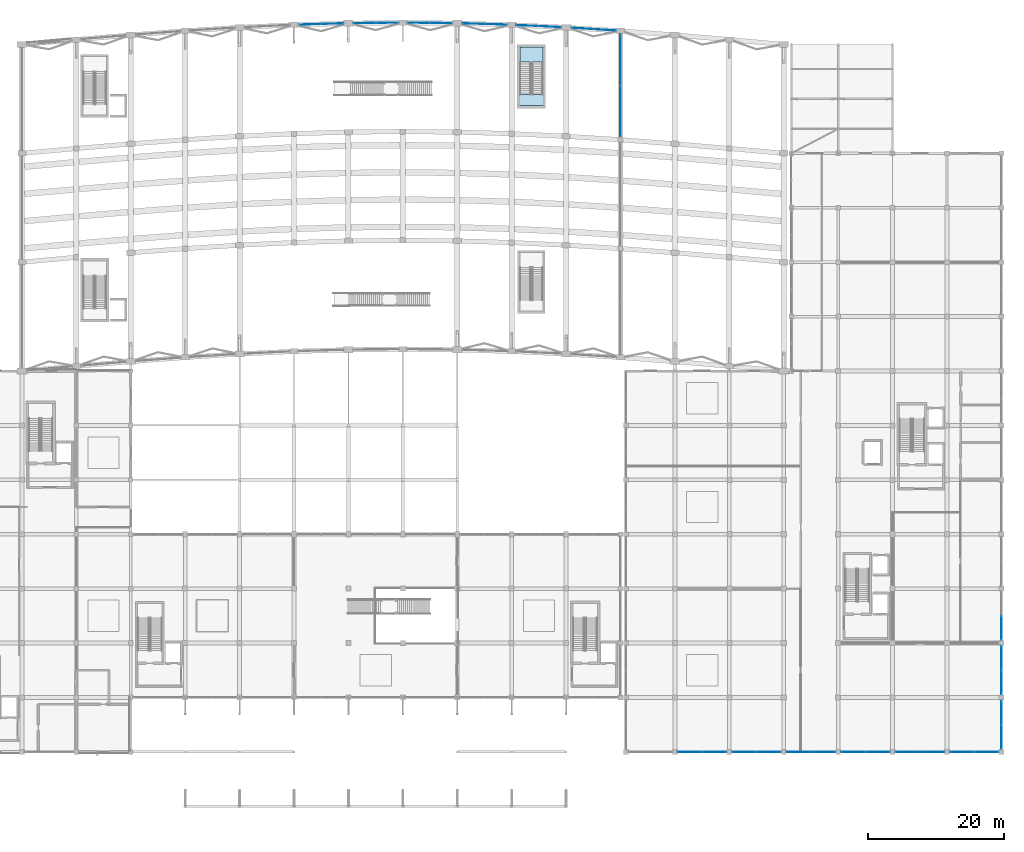
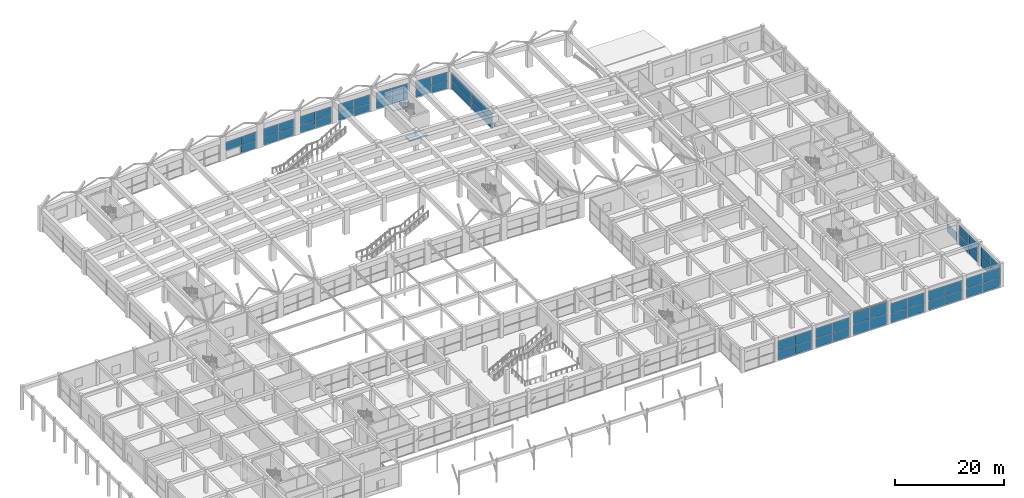
# One storey, part 45 of 69: 60 plates, 2 slabs, 17 elements without a shape of their own.
"""IFC4 building model written with IfcOpenShell, lengths in metres."""

from ifc_helpers import new_model, si_unit, direction, frame, origin, origin_2d, place, context, subcontext, project, spatial, polyline, rectangle, outline, extrude, material, layer, layer_set, type_object, element, aggregate, save


model = new_model("IFC4")

# Units and contexts
model_context = context("Model", 3, precision=1e-05, world=origin(), true_north=direction((0.0, 1.0)))
body_context = subcontext(model_context, "Body", "Model", "MODEL_VIEW")
ifc_project = project(units=[si_unit("LENGTHUNIT", "METRE"), si_unit("AREAUNIT", "SQUARE_METRE"), si_unit("VOLUMEUNIT", "CUBIC_METRE"), si_unit("PLANEANGLEUNIT", "RADIAN"), si_unit("MASSUNIT", "GRAM", prefix="KILO")], contexts=[model_context])

# Site, building, storey
site_placement = place(None, origin())
site = spatial("IfcSite", under=ifc_project, at=site_placement, CompositionType="ELEMENT")
building_placement = place(site_placement, origin())
building = spatial("IfcBuilding", under=site, at=building_placement, Name="Kenh Van Central Station", CompositionType="ELEMENT")
storey_placement = place(building_placement, frame((0.0, 0.0, 5.39990234375)))
storey = spatial("IfcBuildingStorey", under=building, at=storey_placement, Name="L01", CompositionType="ELEMENT", Elevation=5.39990234375)

# Curtain wall, plates
ifc_material_1 = material(Name="Champagne anodised aluminium", Category="aluminium")
curtain_wall_type_1 = type_object("IfcCurtainWallType", Name="CW-HALL-B", PredefinedType="NOTDEFINED", material=ifc_material_1)
curtain_wall_1_placement = place(storey_placement, origin())
curtain_wall_1 = element("IfcCurtainWall", 1, at=curtain_wall_1_placement, inside=storey, type_object=curtain_wall_type_1, Name="L01 curtain wall 102", PredefinedType="NOTDEFINED")
ifc_material_2 = material(Name="Double-glazed low-E laminated solar glass", Category="glass")
ifc_layer_1 = layer(ifc_material_2, 0.031982421875, Name="Double-glazed low-E laminated solar glass")
ifc_layer_set_1 = layer_set([ifc_layer_1], Name="Double-glazed low-E laminated solar glass")
plate_type_1 = type_object("IfcPlateType", Name="CWP-IGU-32", PredefinedType="CURTAIN_PANEL", material=ifc_layer_set_1)
plate_1_placement = place(storey_placement, frame((120.0, 102.2158203125, 0.0703125), z_axis=(0.0, 0.0, 1.0), x_axis=(0.0, 1.0, 0.0)))
plate_1 = element("IfcPlate", 2, at=plate_1_placement, type_object=plate_type_1, Name="CW-02 panel 1.1", PredefinedType="CURTAIN_PANEL", context=body_context, shape_type="SweptSolid", body=[
    extrude(rectangle(XDim=7.47705078125, YDim=0.031982421875, at=origin_2d()), origin(), (0.0, 0.0, 1.0), 1.718994140625),
])
plate_2_placement = place(storey_placement, frame((120.0, 102.2158203125, 1.859130859375), z_axis=(0.0, 0.0, 1.0), x_axis=(0.0, 1.0, 0.0)))
plate_2 = element("IfcPlate", 3, at=plate_2_placement, type_object=plate_type_1, Name="CW-02 panel 1.2", PredefinedType="CURTAIN_PANEL", context=body_context, shape_type="SweptSolid", body=[
    extrude(rectangle(XDim=7.47705078125, YDim=0.031982421875, at=origin_2d()), origin(), (0.0, 0.0, 1.0), 1.87109375),
])
plate_3_placement = place(storey_placement, frame((120.0, 109.774658203125, 0.0703125), z_axis=(0.0, 0.0, 1.0), x_axis=(0.0, 1.0, 0.0)))
plate_3 = element("IfcPlate", 4, at=plate_3_placement, type_object=plate_type_1, Name="CW-02 panel 2.1", PredefinedType="CURTAIN_PANEL", context=body_context, shape_type="SweptSolid", body=[
    extrude(rectangle(XDim=7.47705078125, YDim=0.031982421875, at=origin_2d()), origin(), (0.0, 0.0, 1.0), 1.718994140625),
])
plate_4_placement = place(storey_placement, frame((120.0, 109.774658203125, 1.859130859375), z_axis=(0.0, 0.0, 1.0), x_axis=(0.0, 1.0, 0.0)))
plate_4 = element("IfcPlate", 5, at=plate_4_placement, type_object=plate_type_1, Name="CW-02 panel 2.2", PredefinedType="CURTAIN_PANEL", context=body_context, shape_type="SweptSolid", body=[
    extrude(rectangle(XDim=7.47705078125, YDim=0.031982421875, at=origin_2d()), origin(), (0.0, 0.0, 1.0), 1.87109375),
])
aggregate(curtain_wall_1, [plate_1, plate_2, plate_3, plate_4])

curtain_wall_type_2 = type_object("IfcCurtainWallType", Name="CW-OPER-A", PredefinedType="NOTDEFINED", material=ifc_material_1)
curtain_wall_2_placement = place(storey_placement, origin())
curtain_wall_2 = element("IfcCurtainWall", 6, at=curtain_wall_2_placement, inside=storey, type_object=curtain_wall_type_2, Name="L01 curtain wall 131", PredefinedType="NOTDEFINED")
plate_5_placement = place(storey_placement, frame((130.197021484375, 8.0, 0.072265625), z_axis=(0.0, 0.0, 1.0), x_axis=(1.0, 0.0, 0.0)))
plate_5 = element("IfcPlate", 7, at=plate_5_placement, type_object=plate_type_1, Name="CW-07 panel 1.1", PredefinedType="CURTAIN_PANEL", context=body_context, shape_type="SweptSolid", body=[
    extrude(rectangle(XDim=3.51806640625, YDim=0.031982421875, at=origin_2d()), origin(), (0.0, 0.0, 1.0), 2.023193359375),
])
plate_6_placement = place(storey_placement, frame((130.197021484375, 8.0, 2.167236328125), z_axis=(0.0, 0.0, 1.0), x_axis=(1.0, 0.0, 0.0)))
plate_6 = element("IfcPlate", 8, at=plate_6_placement, type_object=plate_type_1, Name="CW-07 panel 1.2", PredefinedType="CURTAIN_PANEL", context=body_context, shape_type="SweptSolid", body=[
    extrude(rectangle(XDim=3.51806640625, YDim=0.031982421875, at=origin_2d()), origin(), (0.0, 0.0, 1.0), 2.20068359375),
])
plate_7_placement = place(storey_placement, frame((133.802978515625, 8.0, 0.072265625), z_axis=(0.0, 0.0, 1.0), x_axis=(1.0, 0.0, 0.0)))
plate_7 = element("IfcPlate", 9, at=plate_7_placement, type_object=plate_type_1, Name="CW-07 panel 2.1", PredefinedType="CURTAIN_PANEL", context=body_context, shape_type="SweptSolid", body=[
    extrude(rectangle(XDim=3.51806640625, YDim=0.031982421875, at=origin_2d()), origin(), (0.0, 0.0, 1.0), 2.023193359375),
])
plate_8_placement = place(storey_placement, frame((133.802978515625, 8.0, 2.167236328125), z_axis=(0.0, 0.0, 1.0), x_axis=(1.0, 0.0, 0.0)))
plate_8 = element("IfcPlate", 10, at=plate_8_placement, type_object=plate_type_1, Name="CW-07 panel 2.2", PredefinedType="CURTAIN_PANEL", context=body_context, shape_type="SweptSolid", body=[
    extrude(rectangle(XDim=3.51806640625, YDim=0.031982421875, at=origin_2d()), origin(), (0.0, 0.0, 1.0), 2.20068359375),
])
aggregate(curtain_wall_2, [plate_5, plate_6, plate_7, plate_8])

curtain_wall_3_placement = place(storey_placement, origin())
curtain_wall_3 = element("IfcCurtainWall", 11, at=curtain_wall_3_placement, inside=storey, type_object=curtain_wall_type_2, Name="L01 curtain wall 132", PredefinedType="NOTDEFINED")
plate_9_placement = place(storey_placement, frame((138.197021484375, 8.0, 0.072265625), z_axis=(0.0, 0.0, 1.0), x_axis=(1.0, 0.0, 0.0)))
plate_9 = element("IfcPlate", 12, at=plate_9_placement, type_object=plate_type_1, Name="CW-07 panel 1.1", PredefinedType="CURTAIN_PANEL", context=body_context, shape_type="SweptSolid", body=[
    extrude(rectangle(XDim=3.51806640625, YDim=0.031982421875, at=origin_2d()), origin(), (0.0, 0.0, 1.0), 2.023193359375),
])
plate_10_placement = place(storey_placement, frame((138.197021484375, 8.0, 2.167236328125), z_axis=(0.0, 0.0, 1.0), x_axis=(1.0, 0.0, 0.0)))
plate_10 = element("IfcPlate", 13, at=plate_10_placement, type_object=plate_type_1, Name="CW-07 panel 1.2", PredefinedType="CURTAIN_PANEL", context=body_context, shape_type="SweptSolid", body=[
    extrude(rectangle(XDim=3.51806640625, YDim=0.031982421875, at=origin_2d()), origin(), (0.0, 0.0, 1.0), 2.20068359375),
])
plate_11_placement = place(storey_placement, frame((141.802978515625, 8.0, 0.072265625), z_axis=(0.0, 0.0, 1.0), x_axis=(1.0, 0.0, 0.0)))
plate_11 = element("IfcPlate", 14, at=plate_11_placement, type_object=plate_type_1, Name="CW-07 panel 2.1", PredefinedType="CURTAIN_PANEL", context=body_context, shape_type="SweptSolid", body=[
    extrude(rectangle(XDim=3.51806640625, YDim=0.031982421875, at=origin_2d()), origin(), (0.0, 0.0, 1.0), 2.023193359375),
])
plate_12_placement = place(storey_placement, frame((141.802978515625, 8.0, 2.167236328125), z_axis=(0.0, 0.0, 1.0), x_axis=(1.0, 0.0, 0.0)))
plate_12 = element("IfcPlate", 15, at=plate_12_placement, type_object=plate_type_1, Name="CW-07 panel 2.2", PredefinedType="CURTAIN_PANEL", context=body_context, shape_type="SweptSolid", body=[
    extrude(rectangle(XDim=3.51806640625, YDim=0.031982421875, at=origin_2d()), origin(), (0.0, 0.0, 1.0), 2.20068359375),
])
aggregate(curtain_wall_3, [plate_9, plate_10, plate_11, plate_12])

curtain_wall_4_placement = place(storey_placement, origin())
curtain_wall_4 = element("IfcCurtainWall", 16, at=curtain_wall_4_placement, inside=storey, type_object=curtain_wall_type_2, Name="L01 curtain wall 133", PredefinedType="NOTDEFINED")
plate_13_placement = place(storey_placement, frame((146.197021484375, 8.0, 0.072021484375), z_axis=(0.0, 0.0, 1.0), x_axis=(1.0, 0.0, 0.0)))
plate_13 = element("IfcPlate", 17, at=plate_13_placement, type_object=plate_type_1, Name="CW-07 panel 1.1", PredefinedType="CURTAIN_PANEL", context=body_context, shape_type="SweptSolid", body=[
    extrude(rectangle(XDim=3.51806640625, YDim=0.031982421875, at=origin_2d()), origin(), (0.0, 0.0, 1.0), 2.349609375),
])
plate_14_placement = place(storey_placement, frame((146.197021484375, 8.0, 2.49365234375), z_axis=(0.0, 0.0, 1.0), x_axis=(1.0, 0.0, 0.0)))
plate_14 = element("IfcPlate", 18, at=plate_14_placement, type_object=plate_type_1, Name="CW-07 panel 1.2", PredefinedType="CURTAIN_PANEL", context=body_context, shape_type="SweptSolid", body=[
    extrude(rectangle(XDim=3.51806640625, YDim=0.031982421875, at=origin_2d()), origin(), (0.0, 0.0, 1.0), 2.554443359375),
])
plate_15_placement = place(storey_placement, frame((149.802978515625, 8.0, 0.072021484375), z_axis=(0.0, 0.0, 1.0), x_axis=(1.0, 0.0, 0.0)))
plate_15 = element("IfcPlate", 19, at=plate_15_placement, type_object=plate_type_1, Name="CW-07 panel 2.1", PredefinedType="CURTAIN_PANEL", context=body_context, shape_type="SweptSolid", body=[
    extrude(rectangle(XDim=3.51806640625, YDim=0.031982421875, at=origin_2d()), origin(), (0.0, 0.0, 1.0), 2.349609375),
])
plate_16_placement = place(storey_placement, frame((149.802978515625, 8.0, 2.49365234375), z_axis=(0.0, 0.0, 1.0), x_axis=(1.0, 0.0, 0.0)))
plate_16 = element("IfcPlate", 20, at=plate_16_placement, type_object=plate_type_1, Name="CW-07 panel 2.2", PredefinedType="CURTAIN_PANEL", context=body_context, shape_type="SweptSolid", body=[
    extrude(rectangle(XDim=3.51806640625, YDim=0.031982421875, at=origin_2d()), origin(), (0.0, 0.0, 1.0), 2.554443359375),
])
aggregate(curtain_wall_4, [plate_13, plate_14, plate_15, plate_16])

curtain_wall_5_placement = place(storey_placement, origin())
curtain_wall_5 = element("IfcCurtainWall", 21, at=curtain_wall_5_placement, inside=storey, type_object=curtain_wall_type_2, Name="L01 curtain wall 134", PredefinedType="NOTDEFINED")
plate_17_placement = place(storey_placement, frame((154.197021484375, 8.0, 0.072265625), z_axis=(0.0, 0.0, 1.0), x_axis=(1.0, 0.0, 0.0)))
plate_17 = element("IfcPlate", 22, at=plate_17_placement, type_object=plate_type_1, Name="CW-07 panel 1.1", PredefinedType="CURTAIN_PANEL", context=body_context, shape_type="SweptSolid", body=[
    extrude(rectangle(XDim=3.51806640625, YDim=0.031982421875, at=origin_2d()), origin(), (0.0, 0.0, 1.0), 2.023193359375),
])
plate_18_placement = place(storey_placement, frame((154.197021484375, 8.0, 2.167236328125), z_axis=(0.0, 0.0, 1.0), x_axis=(1.0, 0.0, 0.0)))
plate_18 = element("IfcPlate", 23, at=plate_18_placement, type_object=plate_type_1, Name="CW-07 panel 1.2", PredefinedType="CURTAIN_PANEL", context=body_context, shape_type="SweptSolid", body=[
    extrude(rectangle(XDim=3.51806640625, YDim=0.031982421875, at=origin_2d()), origin(), (0.0, 0.0, 1.0), 2.20068359375),
])
plate_19_placement = place(storey_placement, frame((157.802978515625, 8.0, 0.072265625), z_axis=(0.0, 0.0, 1.0), x_axis=(1.0, 0.0, 0.0)))
plate_19 = element("IfcPlate", 24, at=plate_19_placement, type_object=plate_type_1, Name="CW-07 panel 2.1", PredefinedType="CURTAIN_PANEL", context=body_context, shape_type="SweptSolid", body=[
    extrude(rectangle(XDim=3.51806640625, YDim=0.031982421875, at=origin_2d()), origin(), (0.0, 0.0, 1.0), 2.023193359375),
])
plate_20_placement = place(storey_placement, frame((157.802978515625, 8.0, 2.167236328125), z_axis=(0.0, 0.0, 1.0), x_axis=(1.0, 0.0, 0.0)))
plate_20 = element("IfcPlate", 25, at=plate_20_placement, type_object=plate_type_1, Name="CW-07 panel 2.2", PredefinedType="CURTAIN_PANEL", context=body_context, shape_type="SweptSolid", body=[
    extrude(rectangle(XDim=3.51806640625, YDim=0.031982421875, at=origin_2d()), origin(), (0.0, 0.0, 1.0), 2.20068359375),
])
aggregate(curtain_wall_5, [plate_17, plate_18, plate_19, plate_20])

curtain_wall_6_placement = place(storey_placement, origin())
curtain_wall_6 = element("IfcCurtainWall", 26, at=curtain_wall_6_placement, inside=storey, type_object=curtain_wall_type_2, Name="L01 curtain wall 135", PredefinedType="NOTDEFINED")
plate_21_placement = place(storey_placement, frame((162.197021484375, 8.0, 0.072265625), z_axis=(0.0, 0.0, 1.0), x_axis=(1.0, 0.0, 0.0)))
plate_21 = element("IfcPlate", 27, at=plate_21_placement, type_object=plate_type_1, Name="CW-07 panel 1.1", PredefinedType="CURTAIN_PANEL", context=body_context, shape_type="SweptSolid", body=[
    extrude(rectangle(XDim=3.51806640625, YDim=0.031982421875, at=origin_2d()), origin(), (0.0, 0.0, 1.0), 2.023193359375),
])
plate_22_placement = place(storey_placement, frame((162.197021484375, 8.0, 2.167236328125), z_axis=(0.0, 0.0, 1.0), x_axis=(1.0, 0.0, 0.0)))
plate_22 = element("IfcPlate", 28, at=plate_22_placement, type_object=plate_type_1, Name="CW-07 panel 1.2", PredefinedType="CURTAIN_PANEL", context=body_context, shape_type="SweptSolid", body=[
    extrude(rectangle(XDim=3.51806640625, YDim=0.031982421875, at=origin_2d()), origin(), (0.0, 0.0, 1.0), 2.20068359375),
])
plate_23_placement = place(storey_placement, frame((165.802978515625, 8.0, 0.072265625), z_axis=(0.0, 0.0, 1.0), x_axis=(1.0, 0.0, 0.0)))
plate_23 = element("IfcPlate", 29, at=plate_23_placement, type_object=plate_type_1, Name="CW-07 panel 2.1", PredefinedType="CURTAIN_PANEL", context=body_context, shape_type="SweptSolid", body=[
    extrude(rectangle(XDim=3.51806640625, YDim=0.031982421875, at=origin_2d()), origin(), (0.0, 0.0, 1.0), 2.023193359375),
])
plate_24_placement = place(storey_placement, frame((165.802978515625, 8.0, 2.167236328125), z_axis=(0.0, 0.0, 1.0), x_axis=(1.0, 0.0, 0.0)))
plate_24 = element("IfcPlate", 30, at=plate_24_placement, type_object=plate_type_1, Name="CW-07 panel 2.2", PredefinedType="CURTAIN_PANEL", context=body_context, shape_type="SweptSolid", body=[
    extrude(rectangle(XDim=3.51806640625, YDim=0.031982421875, at=origin_2d()), origin(), (0.0, 0.0, 1.0), 2.20068359375),
])
aggregate(curtain_wall_6, [plate_21, plate_22, plate_23, plate_24])

curtain_wall_7_placement = place(storey_placement, origin())
curtain_wall_7 = element("IfcCurtainWall", 31, at=curtain_wall_7_placement, inside=storey, type_object=curtain_wall_type_2, Name="L01 curtain wall 136", PredefinedType="NOTDEFINED")
plate_25_placement = place(storey_placement, frame((170.197021484375, 8.0, 0.072265625), z_axis=(0.0, 0.0, 1.0), x_axis=(1.0, 0.0, 0.0)))
plate_25 = element("IfcPlate", 32, at=plate_25_placement, type_object=plate_type_1, Name="CW-07 panel 1.1", PredefinedType="CURTAIN_PANEL", context=body_context, shape_type="SweptSolid", body=[
    extrude(rectangle(XDim=3.51806640625, YDim=0.031982421875, at=origin_2d()), origin(), (0.0, 0.0, 1.0), 2.023193359375),
])
plate_26_placement = place(storey_placement, frame((170.197021484375, 8.0, 2.167236328125), z_axis=(0.0, 0.0, 1.0), x_axis=(1.0, 0.0, 0.0)))
plate_26 = element("IfcPlate", 33, at=plate_26_placement, type_object=plate_type_1, Name="CW-07 panel 1.2", PredefinedType="CURTAIN_PANEL", context=body_context, shape_type="SweptSolid", body=[
    extrude(rectangle(XDim=3.51806640625, YDim=0.031982421875, at=origin_2d()), origin(), (0.0, 0.0, 1.0), 2.20068359375),
])
plate_27_placement = place(storey_placement, frame((173.802978515625, 8.0, 0.072265625), z_axis=(0.0, 0.0, 1.0), x_axis=(1.0, 0.0, 0.0)))
plate_27 = element("IfcPlate", 34, at=plate_27_placement, type_object=plate_type_1, Name="CW-07 panel 2.1", PredefinedType="CURTAIN_PANEL", context=body_context, shape_type="SweptSolid", body=[
    extrude(rectangle(XDim=3.51806640625, YDim=0.031982421875, at=origin_2d()), origin(), (0.0, 0.0, 1.0), 2.023193359375),
])
plate_28_placement = place(storey_placement, frame((173.802978515625, 8.0, 2.167236328125), z_axis=(0.0, 0.0, 1.0), x_axis=(1.0, 0.0, 0.0)))
plate_28 = element("IfcPlate", 35, at=plate_28_placement, type_object=plate_type_1, Name="CW-07 panel 2.2", PredefinedType="CURTAIN_PANEL", context=body_context, shape_type="SweptSolid", body=[
    extrude(rectangle(XDim=3.51806640625, YDim=0.031982421875, at=origin_2d()), origin(), (0.0, 0.0, 1.0), 2.20068359375),
])
aggregate(curtain_wall_7, [plate_25, plate_26, plate_27, plate_28])

curtain_wall_8_placement = place(storey_placement, origin())
curtain_wall_8 = element("IfcCurtainWall", 36, at=curtain_wall_8_placement, inside=storey, type_object=curtain_wall_type_1, Name="L01 curtain wall 086", PredefinedType="NOTDEFINED")
ifc_layer_2 = layer(ifc_material_2, 0.033935546875, Name="Double-glazed low-E laminated solar glass")
ifc_layer_set_2 = layer_set([ifc_layer_2], Name="Double-glazed low-E laminated solar glass")
plate_type_2 = type_object("IfcPlateType", Name="CWP-IGU-34", PredefinedType="CURTAIN_PANEL", material=ifc_layer_set_2)
plate_29_placement = place(storey_placement, frame((77.598388671875, 115.048828125, 0.0703125), z_axis=(0.0, 0.0, 1.0), x_axis=(-0.999562692832, -0.029570645876, 0.0)))
plate_29 = element("IfcPlate", 37, at=plate_29_placement, type_object=plate_type_2, Name="CW-02 panel 1.1", PredefinedType="CURTAIN_PANEL", context=body_context, shape_type="SweptSolid", body=[
    extrude(rectangle(XDim=3.219482421875, YDim=0.033935546875, at=origin_2d()), origin(), (0.0, 0.0, 1.0), 1.718994140625),
])
plate_30_placement = place(storey_placement, frame((77.598388671875, 115.048828125, 1.859130859375), z_axis=(0.0, 0.0, 1.0), x_axis=(-0.999562692832, -0.029570645876, 0.0)))
plate_30 = element("IfcPlate", 38, at=plate_30_placement, type_object=plate_type_2, Name="CW-02 panel 1.2", PredefinedType="CURTAIN_PANEL", context=body_context, shape_type="SweptSolid", body=[
    extrude(rectangle(XDim=3.219482421875, YDim=0.033935546875, at=origin_2d()), origin(), (0.0, 0.0, 1.0), 1.87109375),
])
plate_31_placement = place(storey_placement, frame((74.30029296875, 114.951171875, 1.859130859375), z_axis=(0.0, 0.0, 1.0), x_axis=(-0.999562692832, -0.029570645876, 0.0)))
plate_31 = element("IfcPlate", 39, at=plate_31_placement, type_object=plate_type_2, Name="CW-02 panel 2.2", PredefinedType="CURTAIN_PANEL", context=body_context, shape_type="SweptSolid", body=[
    extrude(rectangle(XDim=3.219482421875, YDim=0.033935546875, at=origin_2d()), origin(), (0.0, 0.0, 1.0), 1.87109375),
])
aggregate(curtain_wall_8, [plate_29, plate_30, plate_31])

curtain_wall_9_placement = place(storey_placement, origin())
curtain_wall_9 = element("IfcCurtainWall", 40, at=curtain_wall_9_placement, inside=storey, type_object=curtain_wall_type_1, Name="L01 curtain wall 088", PredefinedType="NOTDEFINED")
plate_32_placement = place(storey_placement, frame((85.703125, 115.177001953125, 0.0703125), z_axis=(0.0, 0.0, 1.0), x_axis=(-0.999949879657, -0.010011901592, 0.0)))
plate_32 = element("IfcPlate", 41, at=plate_32_placement, type_object=plate_type_2, Name="CW-02 panel 1.1", PredefinedType="CURTAIN_PANEL", context=body_context, shape_type="SweptSolid", body=[
    extrude(rectangle(XDim=3.22607421875, YDim=0.033935546875, at=origin_2d()), origin(), (0.0, 0.0, 1.0), 1.718994140625),
])
plate_33_placement = place(storey_placement, frame((85.703125, 115.177001953125, 1.859130859375), z_axis=(0.0, 0.0, 1.0), x_axis=(-0.999949879657, -0.010011901592, 0.0)))
plate_33 = element("IfcPlate", 42, at=plate_33_placement, type_object=plate_type_2, Name="CW-02 panel 1.2", PredefinedType="CURTAIN_PANEL", context=body_context, shape_type="SweptSolid", body=[
    extrude(rectangle(XDim=3.22607421875, YDim=0.033935546875, at=origin_2d()), origin(), (0.0, 0.0, 1.0), 1.87109375),
])
plate_34_placement = place(storey_placement, frame((82.397216796875, 115.143798828125, 0.0703125), z_axis=(0.0, 0.0, 1.0), x_axis=(-0.999949879657, -0.010011901592, 0.0)))
plate_34 = element("IfcPlate", 43, at=plate_34_placement, type_object=plate_type_2, Name="CW-02 panel 2.1", PredefinedType="CURTAIN_PANEL", context=body_context, shape_type="SweptSolid", body=[
    extrude(rectangle(XDim=3.22607421875, YDim=0.033935546875, at=origin_2d()), origin(), (0.0, 0.0, 1.0), 1.718994140625),
])
plate_35_placement = place(storey_placement, frame((82.397216796875, 115.143798828125, 1.859130859375), z_axis=(0.0, 0.0, 1.0), x_axis=(-0.999949879657, -0.010011901592, 0.0)))
plate_35 = element("IfcPlate", 44, at=plate_35_placement, type_object=plate_type_2, Name="CW-02 panel 2.2", PredefinedType="CURTAIN_PANEL", context=body_context, shape_type="SweptSolid", body=[
    extrude(rectangle(XDim=3.22607421875, YDim=0.033935546875, at=origin_2d()), origin(), (0.0, 0.0, 1.0), 1.87109375),
])
aggregate(curtain_wall_9, [plate_32, plate_33, plate_34, plate_35])

curtain_wall_10_placement = place(storey_placement, origin())
curtain_wall_10 = element("IfcCurtainWall", 45, at=curtain_wall_10_placement, inside=storey, type_object=curtain_wall_type_1, Name="L01 curtain wall 090", PredefinedType="NOTDEFINED")
plate_36_placement = place(storey_placement, frame((93.602783203125, 115.143798828125, 0.0703125), z_axis=(0.0, 0.0, 1.0), x_axis=(-0.999949879657, 0.010011901592, 0.0)))
plate_36 = element("IfcPlate", 46, at=plate_36_placement, type_object=plate_type_2, Name="CW-02 panel 1.1", PredefinedType="CURTAIN_PANEL", context=body_context, shape_type="SweptSolid", body=[
    extrude(rectangle(XDim=3.22607421875, YDim=0.033935546875, at=origin_2d()), origin(), (0.0, 0.0, 1.0), 1.718994140625),
])
plate_37_placement = place(storey_placement, frame((93.602783203125, 115.143798828125, 1.859130859375), z_axis=(0.0, 0.0, 1.0), x_axis=(-0.999949879657, 0.010011901592, 0.0)))
plate_37 = element("IfcPlate", 47, at=plate_37_placement, type_object=plate_type_2, Name="CW-02 panel 1.2", PredefinedType="CURTAIN_PANEL", context=body_context, shape_type="SweptSolid", body=[
    extrude(rectangle(XDim=3.22607421875, YDim=0.033935546875, at=origin_2d()), origin(), (0.0, 0.0, 1.0), 1.87109375),
])
plate_38_placement = place(storey_placement, frame((90.296875, 115.177001953125, 0.0703125), z_axis=(0.0, 0.0, 1.0), x_axis=(-0.999949879657, 0.010011901592, 0.0)))
plate_38 = element("IfcPlate", 48, at=plate_38_placement, type_object=plate_type_2, Name="CW-02 panel 2.1", PredefinedType="CURTAIN_PANEL", context=body_context, shape_type="SweptSolid", body=[
    extrude(rectangle(XDim=3.22607421875, YDim=0.033935546875, at=origin_2d()), origin(), (0.0, 0.0, 1.0), 1.718994140625),
])
plate_39_placement = place(storey_placement, frame((90.296875, 115.177001953125, 1.859130859375), z_axis=(0.0, 0.0, 1.0), x_axis=(-0.999949879657, 0.010011901592, 0.0)))
plate_39 = element("IfcPlate", 49, at=plate_39_placement, type_object=plate_type_2, Name="CW-02 panel 2.2", PredefinedType="CURTAIN_PANEL", context=body_context, shape_type="SweptSolid", body=[
    extrude(rectangle(XDim=3.22607421875, YDim=0.033935546875, at=origin_2d()), origin(), (0.0, 0.0, 1.0), 1.87109375),
])
aggregate(curtain_wall_10, [plate_36, plate_37, plate_38, plate_39])

curtain_wall_11_placement = place(storey_placement, origin())
curtain_wall_11 = element("IfcCurtainWall", 50, at=curtain_wall_11_placement, inside=storey, type_object=curtain_wall_type_1, Name="L01 curtain wall 092", PredefinedType="NOTDEFINED")
plate_40_placement = place(storey_placement, frame((101.69970703125, 114.951171875, 0.0703125), z_axis=(0.0, 0.0, 1.0), x_axis=(-0.999562692832, 0.029570645876, 0.0)))
plate_40 = element("IfcPlate", 51, at=plate_40_placement, type_object=plate_type_2, Name="CW-02 panel 1.1", PredefinedType="CURTAIN_PANEL", context=body_context, shape_type="SweptSolid", body=[
    extrude(rectangle(XDim=3.219482421875, YDim=0.033935546875, at=origin_2d()), origin(), (0.0, 0.0, 1.0), 1.718994140625),
])
plate_41_placement = place(storey_placement, frame((101.69970703125, 114.951171875, 1.859130859375), z_axis=(0.0, 0.0, 1.0), x_axis=(-0.999562692832, 0.029570645876, 0.0)))
plate_41 = element("IfcPlate", 52, at=plate_41_placement, type_object=plate_type_2, Name="CW-02 panel 1.2", PredefinedType="CURTAIN_PANEL", context=body_context, shape_type="SweptSolid", body=[
    extrude(rectangle(XDim=3.219482421875, YDim=0.033935546875, at=origin_2d()), origin(), (0.0, 0.0, 1.0), 1.87109375),
])
plate_42_placement = place(storey_placement, frame((98.401611328125, 115.048828125, 0.0703125), z_axis=(0.0, 0.0, 1.0), x_axis=(-0.999562692832, 0.029570645876, 0.0)))
plate_42 = element("IfcPlate", 53, at=plate_42_placement, type_object=plate_type_2, Name="CW-02 panel 2.1", PredefinedType="CURTAIN_PANEL", context=body_context, shape_type="SweptSolid", body=[
    extrude(rectangle(XDim=3.219482421875, YDim=0.033935546875, at=origin_2d()), origin(), (0.0, 0.0, 1.0), 1.718994140625),
])
plate_43_placement = place(storey_placement, frame((98.401611328125, 115.048828125, 1.859130859375), z_axis=(0.0, 0.0, 1.0), x_axis=(-0.999562692832, 0.029570645876, 0.0)))
plate_43 = element("IfcPlate", 54, at=plate_43_placement, type_object=plate_type_2, Name="CW-02 panel 2.2", PredefinedType="CURTAIN_PANEL", context=body_context, shape_type="SweptSolid", body=[
    extrude(rectangle(XDim=3.219482421875, YDim=0.033935546875, at=origin_2d()), origin(), (0.0, 0.0, 1.0), 1.87109375),
])
aggregate(curtain_wall_11, [plate_40, plate_41, plate_42, plate_43])

curtain_wall_12_placement = place(storey_placement, origin())
curtain_wall_12 = element("IfcCurtainWall", 55, at=curtain_wall_12_placement, inside=storey, type_object=curtain_wall_type_1, Name="L01 curtain wall 094", PredefinedType="NOTDEFINED")
plate_44_placement = place(storey_placement, frame((109.594482421875, 114.616455078125, 0.0703125), z_axis=(0.0, 0.0, 1.0), x_axis=(-0.99886644112, 0.047600764745, 0.0)))
plate_44 = element("IfcPlate", 56, at=plate_44_placement, type_object=plate_type_2, Name="CW-02 panel 1.1", PredefinedType="CURTAIN_PANEL", context=body_context, shape_type="SweptSolid", body=[
    extrude(rectangle(XDim=3.215087890625, YDim=0.033935546875, at=origin_2d()), origin(), (0.0, 0.0, 1.0), 1.718994140625),
])
plate_45_placement = place(storey_placement, frame((109.594482421875, 114.616455078125, 1.859130859375), z_axis=(0.0, 0.0, 1.0), x_axis=(-0.99886644112, 0.047600764745, 0.0)))
plate_45 = element("IfcPlate", 57, at=plate_45_placement, type_object=plate_type_2, Name="CW-02 panel 1.2", PredefinedType="CURTAIN_PANEL", context=body_context, shape_type="SweptSolid", body=[
    extrude(rectangle(XDim=3.215087890625, YDim=0.033935546875, at=origin_2d()), origin(), (0.0, 0.0, 1.0), 1.87109375),
])
plate_46_placement = place(storey_placement, frame((106.30322265625, 114.7734375, 0.0703125), z_axis=(0.0, 0.0, 1.0), x_axis=(-0.99886644112, 0.047600764745, 0.0)))
plate_46 = element("IfcPlate", 58, at=plate_46_placement, type_object=plate_type_2, Name="CW-02 panel 2.1", PredefinedType="CURTAIN_PANEL", context=body_context, shape_type="SweptSolid", body=[
    extrude(rectangle(XDim=3.215087890625, YDim=0.033935546875, at=origin_2d()), origin(), (0.0, 0.0, 1.0), 1.718994140625),
])
plate_47_placement = place(storey_placement, frame((106.30322265625, 114.7734375, 1.859130859375), z_axis=(0.0, 0.0, 1.0), x_axis=(-0.99886644112, 0.047600764745, 0.0)))
plate_47 = element("IfcPlate", 59, at=plate_47_placement, type_object=plate_type_2, Name="CW-02 panel 2.2", PredefinedType="CURTAIN_PANEL", context=body_context, shape_type="SweptSolid", body=[
    extrude(rectangle(XDim=3.215087890625, YDim=0.033935546875, at=origin_2d()), origin(), (0.0, 0.0, 1.0), 1.87109375),
])
aggregate(curtain_wall_12, [plate_44, plate_45, plate_46, plate_47])

curtain_wall_13_placement = place(storey_placement, origin())
curtain_wall_13 = element("IfcCurtainWall", 60, at=curtain_wall_13_placement, inside=storey, type_object=curtain_wall_type_1, Name="L01 curtain wall 096", PredefinedType="NOTDEFINED")
plate_48_placement = place(storey_placement, frame((117.6943359375, 114.14111328125, 0.0703125), z_axis=(0.0, 0.0, 1.0), x_axis=(-0.998000154852, 0.063211477724, 0.0)))
plate_48 = element("IfcPlate", 61, at=plate_48_placement, type_object=plate_type_2, Name="CW-02 panel 1.1", PredefinedType="CURTAIN_PANEL", context=body_context, shape_type="SweptSolid", body=[
    extrude(rectangle(XDim=3.21240234375, YDim=0.033935546875, at=origin_2d()), origin(), (0.0, 0.0, 1.0), 1.718994140625),
])
plate_49_placement = place(storey_placement, frame((117.6943359375, 114.14111328125, 1.859130859375), z_axis=(0.0, 0.0, 1.0), x_axis=(-0.998000154852, 0.063211477724, 0.0)))
plate_49 = element("IfcPlate", 62, at=plate_49_placement, type_object=plate_type_2, Name="CW-02 panel 1.2", PredefinedType="CURTAIN_PANEL", context=body_context, shape_type="SweptSolid", body=[
    extrude(rectangle(XDim=3.21240234375, YDim=0.033935546875, at=origin_2d()), origin(), (0.0, 0.0, 1.0), 1.87109375),
])
plate_50_placement = place(storey_placement, frame((114.408447265625, 114.349365234375, 0.0703125), z_axis=(0.0, 0.0, 1.0), x_axis=(-0.998000154852, 0.063211477724, 0.0)))
plate_50 = element("IfcPlate", 63, at=plate_50_placement, type_object=plate_type_2, Name="CW-02 panel 2.1", PredefinedType="CURTAIN_PANEL", context=body_context, shape_type="SweptSolid", body=[
    extrude(rectangle(XDim=3.21240234375, YDim=0.033935546875, at=origin_2d()), origin(), (0.0, 0.0, 1.0), 1.718994140625),
])
plate_51_placement = place(storey_placement, frame((114.408447265625, 114.349365234375, 1.859130859375), z_axis=(0.0, 0.0, 1.0), x_axis=(-0.998000154852, 0.063211477724, 0.0)))
plate_51 = element("IfcPlate", 64, at=plate_51_placement, type_object=plate_type_2, Name="CW-02 panel 2.2", PredefinedType="CURTAIN_PANEL", context=body_context, shape_type="SweptSolid", body=[
    extrude(rectangle(XDim=3.21240234375, YDim=0.033935546875, at=origin_2d()), origin(), (0.0, 0.0, 1.0), 1.87109375),
])
aggregate(curtain_wall_13, [plate_48, plate_49, plate_50, plate_51])

curtain_wall_14_placement = place(storey_placement, origin())
curtain_wall_14 = element("IfcCurtainWall", 65, at=curtain_wall_14_placement, inside=storey, type_object=curtain_wall_type_2, Name="L01 curtain wall 137", PredefinedType="NOTDEFINED")
ifc_layer_3 = layer(ifc_material_2, 0.0380859375, Name="Double-glazed low-E laminated solar glass")
ifc_layer_set_3 = layer_set([ifc_layer_3], Name="Double-glazed low-E laminated solar glass")
plate_type_3 = type_object("IfcPlateType", Name="CWP-IGU-38", PredefinedType="CURTAIN_PANEL", material=ifc_layer_set_3)
plate_52_placement = place(storey_placement, frame((176.0, 10.190673828125, 0.072265625), z_axis=(0.0, 0.0, 1.0), x_axis=(0.0, 1.0, 0.0)))
plate_52 = element("IfcPlate", 66, at=plate_52_placement, type_object=plate_type_3, Name="CW-07 panel 1.1", PredefinedType="CURTAIN_PANEL", context=body_context, shape_type="SweptSolid", body=[
    extrude(rectangle(XDim=3.505615234375, YDim=0.0380859375, at=origin_2d()), origin(), (0.0, 0.0, 1.0), 2.023193359375),
])
plate_53_placement = place(storey_placement, frame((176.0, 10.190673828125, 2.167236328125), z_axis=(0.0, 0.0, 1.0), x_axis=(0.0, 1.0, 0.0)))
plate_53 = element("IfcPlate", 67, at=plate_53_placement, type_object=plate_type_3, Name="CW-07 panel 1.2", PredefinedType="CURTAIN_PANEL", context=body_context, shape_type="SweptSolid", body=[
    extrude(rectangle(XDim=3.505615234375, YDim=0.0380859375, at=origin_2d()), origin(), (0.0, 0.0, 1.0), 2.20068359375),
])
plate_54_placement = place(storey_placement, frame((176.0, 13.7841796875, 0.072265625), z_axis=(0.0, 0.0, 1.0), x_axis=(0.0, 1.0, 0.0)))
plate_54 = element("IfcPlate", 68, at=plate_54_placement, type_object=plate_type_3, Name="CW-07 panel 2.1", PredefinedType="CURTAIN_PANEL", context=body_context, shape_type="SweptSolid", body=[
    extrude(rectangle(XDim=3.505615234375, YDim=0.0380859375, at=origin_2d()), origin(), (0.0, 0.0, 1.0), 2.023193359375),
])
plate_55_placement = place(storey_placement, frame((176.0, 13.7841796875, 2.167236328125), z_axis=(0.0, 0.0, 1.0), x_axis=(0.0, 1.0, 0.0)))
plate_55 = element("IfcPlate", 69, at=plate_55_placement, type_object=plate_type_3, Name="CW-07 panel 2.2", PredefinedType="CURTAIN_PANEL", context=body_context, shape_type="SweptSolid", body=[
    extrude(rectangle(XDim=3.505615234375, YDim=0.0380859375, at=origin_2d()), origin(), (0.0, 0.0, 1.0), 2.20068359375),
])
aggregate(curtain_wall_14, [plate_52, plate_53, plate_54, plate_55])

curtain_wall_15_placement = place(storey_placement, origin())
curtain_wall_15 = element("IfcCurtainWall", 70, at=curtain_wall_15_placement, inside=storey, type_object=curtain_wall_type_2, Name="L01 curtain wall 138", PredefinedType="NOTDEFINED")
plate_56_placement = place(storey_placement, frame((176.0, 18.20947265625, 0.072265625), z_axis=(0.0, 0.0, 1.0), x_axis=(0.0, 1.0, 0.0)))
plate_56 = element("IfcPlate", 71, at=plate_56_placement, type_object=plate_type_3, Name="CW-07 panel 1.1", PredefinedType="CURTAIN_PANEL", context=body_context, shape_type="SweptSolid", body=[
    extrude(rectangle(XDim=3.492919921875, YDim=0.0380859375, at=origin_2d()), origin(), (0.0, 0.0, 1.0), 2.023193359375),
])
plate_57_placement = place(storey_placement, frame((176.0, 18.20947265625, 2.167236328125), z_axis=(0.0, 0.0, 1.0), x_axis=(0.0, 1.0, 0.0)))
plate_57 = element("IfcPlate", 72, at=plate_57_placement, type_object=plate_type_3, Name="CW-07 panel 1.2", PredefinedType="CURTAIN_PANEL", context=body_context, shape_type="SweptSolid", body=[
    extrude(rectangle(XDim=3.492919921875, YDim=0.0380859375, at=origin_2d()), origin(), (0.0, 0.0, 1.0), 2.20068359375),
])
plate_58_placement = place(storey_placement, frame((176.0, 21.79052734375, 0.072265625), z_axis=(0.0, 0.0, 1.0), x_axis=(0.0, 1.0, 0.0)))
plate_58 = element("IfcPlate", 73, at=plate_58_placement, type_object=plate_type_3, Name="CW-07 panel 2.1", PredefinedType="CURTAIN_PANEL", context=body_context, shape_type="SweptSolid", body=[
    extrude(rectangle(XDim=3.492919921875, YDim=0.0380859375, at=origin_2d()), origin(), (0.0, 0.0, 1.0), 2.023193359375),
])
plate_59_placement = place(storey_placement, frame((176.0, 21.79052734375, 2.167236328125), z_axis=(0.0, 0.0, 1.0), x_axis=(0.0, 1.0, 0.0)))
plate_59 = element("IfcPlate", 74, at=plate_59_placement, type_object=plate_type_3, Name="CW-07 panel 2.2", PredefinedType="CURTAIN_PANEL", context=body_context, shape_type="SweptSolid", body=[
    extrude(rectangle(XDim=3.492919921875, YDim=0.0380859375, at=origin_2d()), origin(), (0.0, 0.0, 1.0), 2.20068359375),
])
aggregate(curtain_wall_15, [plate_56, plate_57, plate_58, plate_59])

# Curtain wall, plate
curtain_wall_16_placement = place(storey_placement, origin())
curtain_wall_16 = element("IfcCurtainWall", 75, at=curtain_wall_16_placement, inside=storey, type_object=curtain_wall_type_2, Name="L01 curtain wall 139", PredefinedType="NOTDEFINED")
plate_60_placement = place(storey_placement, frame((176.0, 26.20947265625, 0.072265625), z_axis=(0.0, 0.0, 1.0), x_axis=(0.0, 1.0, 0.0)))
plate_60 = element("IfcPlate", 76, at=plate_60_placement, type_object=plate_type_3, Name="CW-07 panel 1.1", PredefinedType="CURTAIN_PANEL", context=body_context, shape_type="SweptSolid", body=[
    extrude(rectangle(XDim=3.492919921875, YDim=0.0380859375, at=origin_2d()), origin(), (0.0, 0.0, 1.0), 2.023193359375),
])
aggregate(curtain_wall_16, [plate_60])

# Slab
ifc_material_3 = material(Name="Concrete C35/45", Category="concrete")
ifc_layer_4 = layer(ifc_material_3, 0.280029296875, Name="Concrete C35/45")
ifc_layer_set_4 = layer_set([ifc_layer_4], Name="Concrete C35/45")
slab_type_1 = type_object("IfcSlabType", Name="SLB-FLR-280", PredefinedType="FLOOR", material=ifc_layer_set_4)
slab_1_placement = place(storey_placement, frame((0.0, 0.0, -0.27978515625)))
element("IfcSlab", 77, at=slab_1_placement, inside=storey, type_object=slab_type_1, Name="L01 slab SLB-L01-PC8", PredefinedType="FLOOR", context=body_context, shape_type="SweptSolid", body=[
    extrude(outline(polyline([(105.0, 103.0), (108.800048828125, 103.0), (108.800048828125, 104.614990234375), (105.0, 104.614990234375), (105.0, 103.0)])), origin(), (0.0, 0.0, 1.0), 0.27978515625),
])

# Stair, slab
stair_type = type_object("IfcStairType", Name="STR-DLG-1600", PredefinedType="HALF_TURN_STAIR", material=ifc_material_3)
stair_placement = place(storey_placement, origin())
stair = element("IfcStair", 78, at=stair_placement, inside=storey, type_object=stair_type, Name="L01 Island Platform 2 East Evacuation Core", PredefinedType="HALF_TURN_STAIR")
ifc_layer_5 = layer(ifc_material_3, 0.199951171875, Name="Concrete C35/45")
ifc_layer_set_5 = layer_set([ifc_layer_5], Name="Concrete C35/45")
slab_type_2 = type_object("IfcSlabType", Name="SLB-LAND-200", PredefinedType="LANDING", material=ifc_layer_set_5)
slab_2_placement = place(storey_placement, frame((0.0, 0.0, 2.5)))
slab_2 = element("IfcSlab", 79, at=slab_2_placement, type_object=slab_type_2, Name="ST-08 landing 1", PredefinedType="LANDING", context=body_context, shape_type="SweptSolid", body=[
    extrude(outline(polyline([(108.60009765625, 109.39990234375), (108.60009765625, 111.60009765625), (105.199951171875, 111.60009765625), (105.199951171875, 109.39990234375), (108.60009765625, 109.39990234375)])), origin(), (0.0, 0.0, 1.0), 0.2001953125),
])
aggregate(stair, [slab_2])

save(model, "model.ifc")
